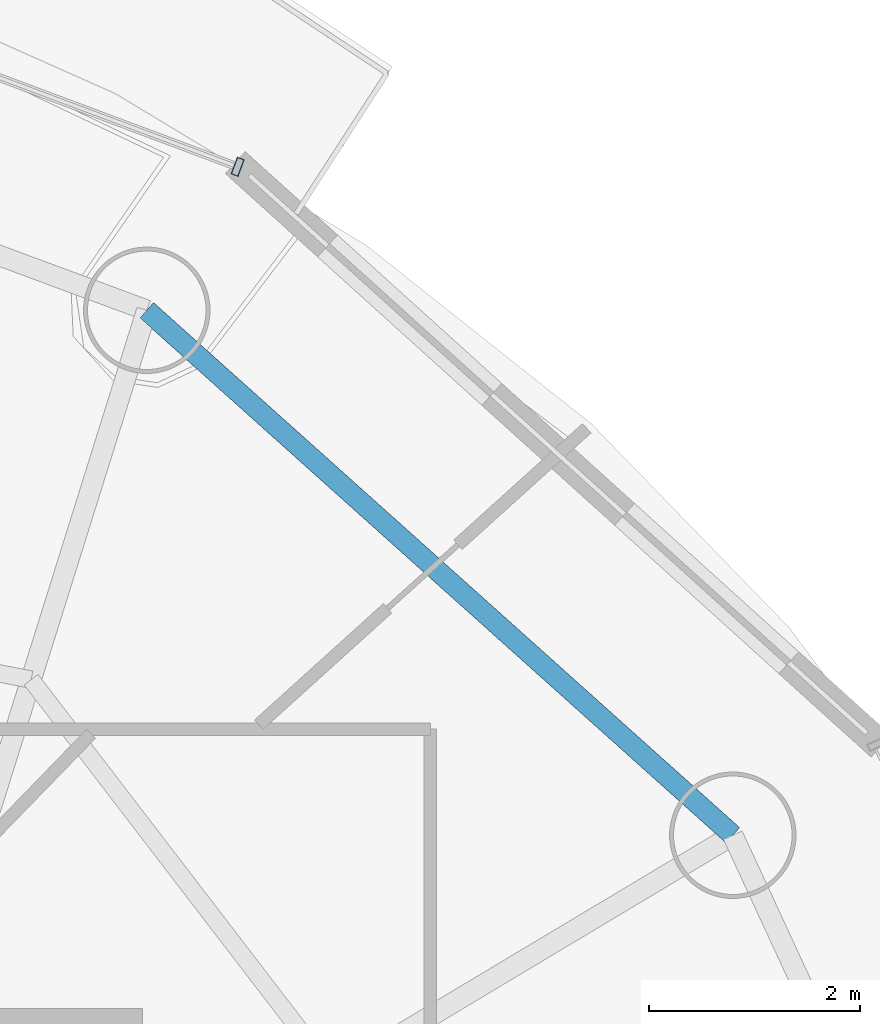
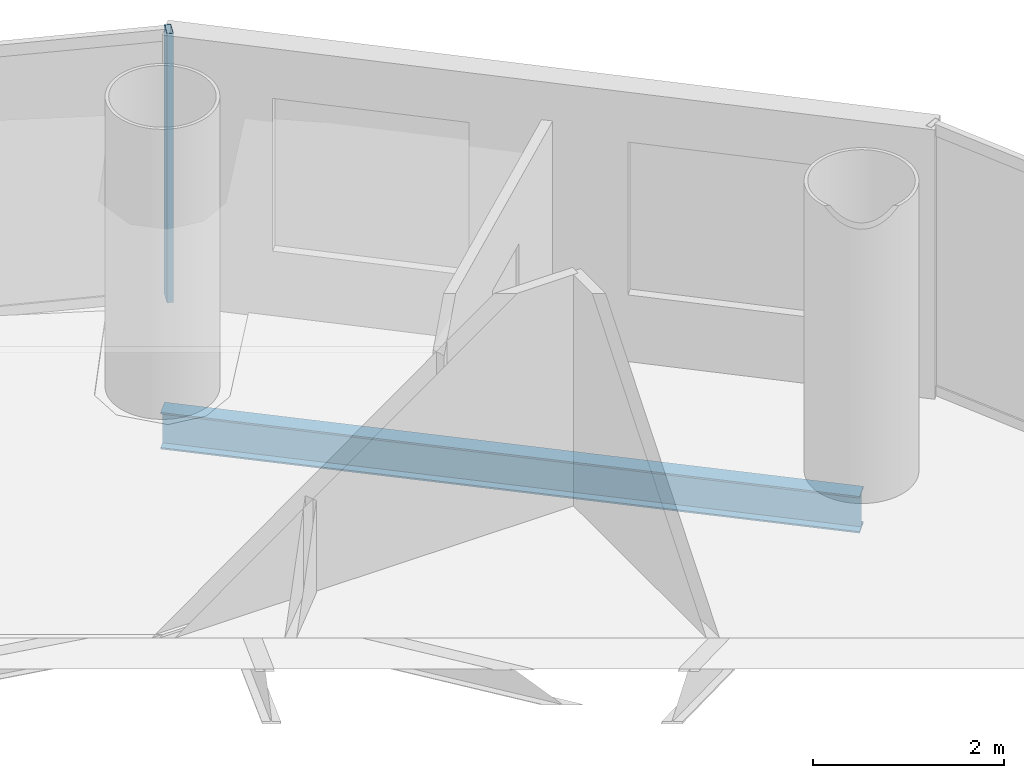
# One storey, part 18 of 26: 1 beam, 1 member, 1 element without a shape of its own.
"""IFC4 building model written with IfcOpenShell, lengths in metres."""

from ifc_helpers import new_model, si_unit, direction, frame, origin, origin_2d, place, context, subcontext, project, spatial, hollow_rectangle, i_section, extrude, source, transform, mapped, material, material_profile, profile_set, type_object, element, aggregate, save


model = new_model("IFC4")

# Units and contexts
model_context = context("Model", 3, precision=1e-05, world=origin(), true_north=direction((-0.2419218956, 0.970295726276)))
body_context = subcontext(model_context, "Body", "Model", "MODEL_VIEW")
ifc_project = project(units=[si_unit("LENGTHUNIT", "METRE"), si_unit("AREAUNIT", "SQUARE_METRE"), si_unit("VOLUMEUNIT", "CUBIC_METRE"), si_unit("PLANEANGLEUNIT", "RADIAN"), si_unit("MASSUNIT", "GRAM", prefix="KILO")], contexts=[model_context])

# Site, building, storey
site_placement = place(None, origin())
site = spatial("IfcSite", under=ifc_project, at=site_placement, CompositionType="ELEMENT")
building_placement = place(site_placement, origin())
building = spatial("IfcBuilding", under=site, at=building_placement, Name="Cobrevalo Terracotta Tower", CompositionType="ELEMENT")
storey_placement = place(building_placement, frame((0.0, 0.0, 224.5)))
storey = spatial("IfcBuildingStorey", under=building, at=storey_placement, Name="L59", CompositionType="ELEMENT", Elevation=224.5)

# Beam
ifc_material_1 = material(Name="Steel S355", Category="steel")
ifc_material_profile_1 = material_profile(ifc_material_1, i_section(OverallWidth=0.194091796875, OverallDepth=0.468994140625, WebThickness=0.011474609375, FlangeThickness=0.0205078125, at=origin_2d()), Name="W 460x106")
ifc_profile_set_1 = profile_set([ifc_material_profile_1], Name="Steel S355")
beam_type = type_object("IfcBeamType", Name="Structural Spandrel W 460x106 (Steel S355)", PredefinedType="SPANDREL", material=ifc_profile_set_1)
beam_placement = place(storey_placement, frame((54.754150390625, 36.828125, -0.49951171875), z_axis=(-0.744851930997, 0.667229796165, 0.0), x_axis=(-0.667229796165, -0.744851930997, 0.0)))
element("IfcBeam", 1, at=beam_placement, inside=storey, type_object=beam_type, Name="L59 perimeter ring spandrel 02", PredefinedType="SPANDREL", context=body_context, shape_type="SweptSolid", body=[
    extrude(i_section(OverallWidth=0.194091796875, OverallDepth=0.468994140625, WebThickness=0.011474609375, FlangeThickness=0.0205078125, at=origin_2d()), origin(), (0.0, 0.0, 1.0), 7.463623046875),
])

# Curtain wall, member
ifc_material_2 = material(Name="Anodized aluminium", Category="aluminium")
curtain_wall_type = type_object("IfcCurtainWallType", Name="Mid-tower high-wind unitised curtain wall CW-U2", PredefinedType="NOTDEFINED", material=ifc_material_2)
curtain_wall_placement = place(storey_placement, origin())
curtain_wall = element("IfcCurtainWall", 2, at=curtain_wall_placement, inside=storey, type_object=curtain_wall_type, Name="L59 curtain wall CW-L59-S03", PredefinedType="NOTDEFINED")
ifc_material_profile_2 = material_profile(ifc_material_2, hollow_rectangle(XDim=0.070068359375, YDim=0.169921875, WallThickness=0.00439453125, at=origin_2d()), Name="CWM 70x170")
ifc_profile_set_2 = profile_set([ifc_material_profile_2], Name="Anodized aluminium")
member_type = type_object("IfcMemberType", Name="Upper tower unitised mullion 70x170", PredefinedType="MULLION", material=ifc_profile_set_2)
shared_shape = source(origin(), body_context, "Body", "SweptSolid", [
    extrude(hollow_rectangle(XDim=0.070068359375, YDim=0.169921875, WallThickness=0.00439453125, at=origin_2d()), origin(), (0.0, 0.0, 1.0), 3.43505859375),
])
member_placement = place(storey_placement, frame((50.057373046875, 43.1689453125, 0.0), z_axis=(0.0, 0.0, 1.0), x_axis=(-0.936556004584, 0.350517974259, 0.0)))
member = element("IfcMember", 3, at=member_placement, type_object=member_type, Name="CW-L59-S03 vertical mullion 01", PredefinedType="MULLION", context=body_context, shape_type="MappedRepresentation", body=[
    mapped(shared_shape, transform((0.0, 0.0, 0.0), scale=1.0)),
])
aggregate(curtain_wall, [member])

save(model, "model.ifc")
